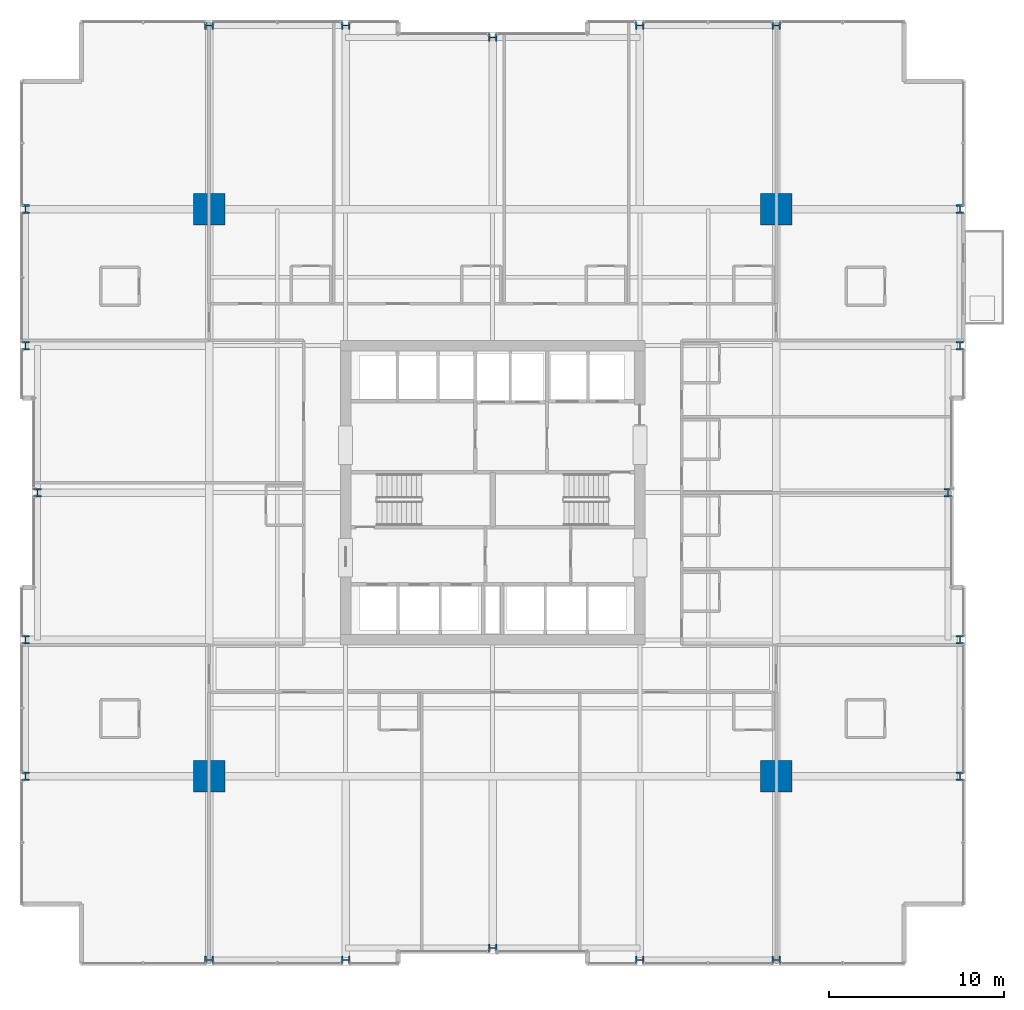
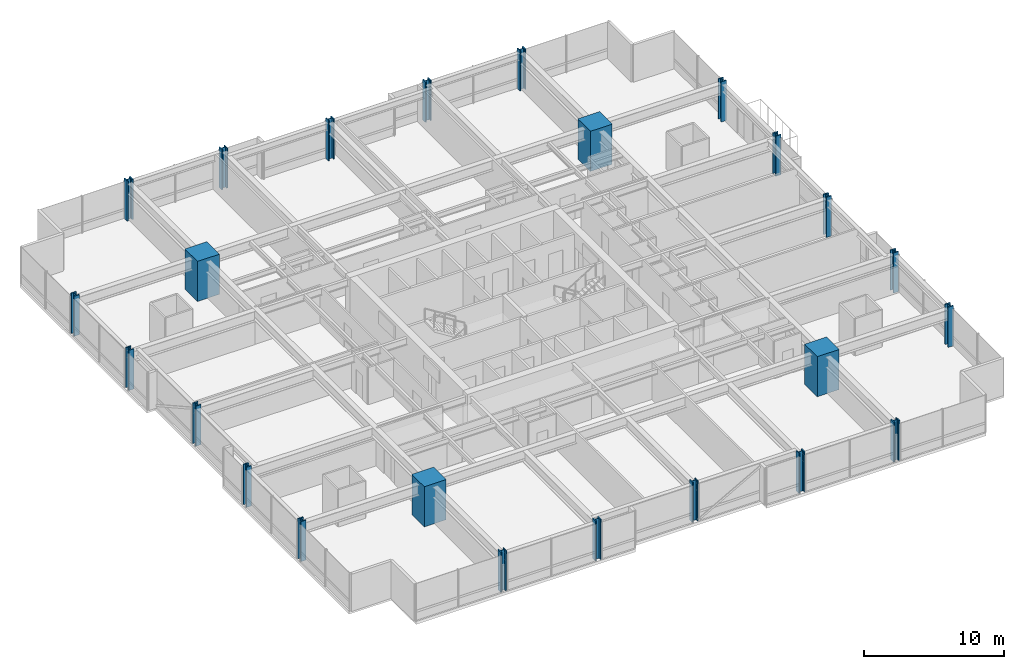
# One storey, part 1 of 38: 24 columns.
"""IFC4 building model written with IfcOpenShell, lengths in metres."""

from ifc_helpers import new_model, si_unit, direction, frame, origin, origin_2d, place, context, subcontext, project, spatial, rectangle, i_section, extrude, material, material_profile, profile_set, type_object, element, save


model = new_model("IFC4")

# Units and contexts
model_context = context("Model", 3, precision=1e-05, world=origin(), true_north=direction((0.0, 1.0)))
body_context = subcontext(model_context, "Body", "Model", "MODEL_VIEW")
ifc_project = project(units=[si_unit("LENGTHUNIT", "METRE"), si_unit("AREAUNIT", "SQUARE_METRE"), si_unit("VOLUMEUNIT", "CUBIC_METRE"), si_unit("PLANEANGLEUNIT", "RADIAN"), si_unit("MASSUNIT", "GRAM", prefix="KILO")], contexts=[model_context])

# Site, building, storey
site_placement = place(None, origin())
site = spatial("IfcSite", under=ifc_project, at=site_placement, CompositionType="ELEMENT")
building_placement = place(site_placement, origin())
building = spatial("IfcBuilding", under=site, at=building_placement, Name="Drelvath Grand Hotel", CompositionType="ELEMENT")
storey_placement = place(building_placement, frame((0.0, 0.0, 50.699951171875)))
storey = spatial("IfcBuildingStorey", under=building, at=storey_placement, Name="L11", CompositionType="ELEMENT", Elevation=50.699951171875)

# Columns
ifc_material_1 = material(Name="Concrete f'c 70 MPa", Category="concrete")
ifc_material_profile_1 = material_profile(ifc_material_1, rectangle(XDim=1.800048828125, YDim=1.800048828125, at=origin_2d()), Name="MC1800X1800")
ifc_profile_set_1 = profile_set([ifc_material_profile_1], Name="Concrete f'c 70 MPa")
column_type_1 = type_object("IfcColumnType", Name="Composite Mega Column MC1800X1800", PredefinedType="COLUMN", material=ifc_profile_set_1)
for number, where, z_axis, x_axis, name in (
    (1, (-16.199951171875, 10.800048828125, 0.0), (0.0, 0.0, 1.0), (1.0, 0.0, 0.0), "L11 Composite Mega Column MC-SW"),
    (2, (16.199951171875, 10.800048828125, 0.0), (0.0, 0.0, 1.0), (1.0, 0.0, 0.0), "L11 Composite Mega Column MC-SE"),
    (3, (-16.199951171875, 43.199951171875, 0.0), (0.0, 0.0, 1.0), (1.0, 0.0, 0.0), "L11 Composite Mega Column MC-NW"),
    (4, (16.199951171875, 43.199951171875, 0.0), (0.0, 0.0, 1.0), (1.0, 0.0, 0.0), "L11 Composite Mega Column MC-NE"),
):
    element("IfcColumn", number, at=place(storey_placement, frame(where, z_axis=z_axis, x_axis=x_axis)), inside=storey, type_object=column_type_1, Name=name, PredefinedType="COLUMN", context=body_context, shape_type="SweptSolid", body=[
        extrude(rectangle(XDim=1.800048828125, YDim=1.800048828125, at=origin_2d()), origin(), (0.0, 0.0, 1.0), 3.5),
    ])
ifc_material_2 = material(Name="Steel ASTM A913 Gr 65", Category="steel")
ifc_material_profile_2 = material_profile(ifc_material_2, i_section(OverallWidth=0.43212890625, OverallDepth=0.497802734375, WebThickness=0.0556640625, FlangeThickness=0.0888671875, FilletRadius=0.030029296875, at=origin_2d()), Name="W14X500")
ifc_profile_set_2 = profile_set([ifc_material_profile_2], Name="Steel ASTM A913 Gr 65")
column_type_2 = type_object("IfcColumnType", Name="Perimeter Steel Column W14X500", PredefinedType="COLUMN", material=ifc_profile_set_2)
for number, where, z_axis, x_axis, name in (
    (5, (-26.679931640625, 10.800048828125, 0.0), (0.0, 0.0, 1.0), (1.0, 0.0, 0.0), "L11 Structural Column TCW-C"),
    (6, (26.679931640625, 10.800048828125, 0.0), (0.0, 0.0, 1.0), (1.0, 0.0, 0.0), "L11 Structural Column TCE-C"),
    (7, (-26.679931640625, 18.60009765625, 0.0), (0.0, 0.0, 1.0), (1.0, 0.0, 0.0), "L11 Structural Column TCW-D"),
    (8, (26.679931640625, 18.60009765625, 0.0), (0.0, 0.0, 1.0), (1.0, 0.0, 0.0), "L11 Structural Column TCE-D"),
    (9, (-26.0, 27.0, 0.0), (0.0, 0.0, 1.0), (1.0, 0.0, 0.0), "L11 Structural Column TCW-E"),
    (10, (26.0, 27.0, 0.0), (0.0, 0.0, 1.0), (1.0, 0.0, 0.0), "L11 Structural Column TCE-E"),
    (11, (-26.679931640625, 35.39990234375, 0.0), (0.0, 0.0, 1.0), (1.0, 0.0, 0.0), "L11 Structural Column TCW-F"),
    (12, (26.679931640625, 35.39990234375, 0.0), (0.0, 0.0, 1.0), (1.0, 0.0, 0.0), "L11 Structural Column TCE-F"),
    (13, (-26.679931640625, 43.199951171875, 0.0), (0.0, 0.0, 1.0), (1.0, 0.0, 0.0), "L11 Structural Column TCW-G"),
    (14, (26.679931640625, 43.199951171875, 0.0), (0.0, 0.0, 1.0), (1.0, 0.0, 0.0), "L11 Structural Column TCE-G"),
    (15, (-16.199951171875, 0.320068359375, 0.0), (0.0, 0.0, 1.0), (0.0, 1.0, 0.0), "L11 Structural Column TCS-3"),
    (16, (-16.199951171875, 53.679931640625, 0.0), (0.0, 0.0, 1.0), (0.0, 1.0, 0.0), "L11 Structural Column TCN-3"),
    (17, (-8.39990234375, 0.320068359375, 0.0), (0.0, 0.0, 1.0), (0.0, 1.0, 0.0), "L11 Structural Column TCS-4"),
    (18, (-8.39990234375, 53.679931640625, 0.0), (0.0, 0.0, 1.0), (0.0, 1.0, 0.0), "L11 Structural Column TCN-4"),
    (19, (0.0, 1.0, 0.0), (0.0, 0.0, 1.0), (0.0, 1.0, 0.0), "L11 Structural Column TCS-5"),
    (20, (0.0, 53.0, 0.0), (0.0, 0.0, 1.0), (0.0, 1.0, 0.0), "L11 Structural Column TCN-5"),
    (21, (8.39990234375, 0.320068359375, 0.0), (0.0, 0.0, 1.0), (0.0, 1.0, 0.0), "L11 Structural Column TCS-6"),
    (22, (8.39990234375, 53.679931640625, 0.0), (0.0, 0.0, 1.0), (0.0, 1.0, 0.0), "L11 Structural Column TCN-6"),
    (23, (16.199951171875, 0.320068359375, 0.0), (0.0, 0.0, 1.0), (0.0, 1.0, 0.0), "L11 Structural Column TCS-7"),
    (24, (16.199951171875, 53.679931640625, 0.0), (0.0, 0.0, 1.0), (0.0, 1.0, 0.0), "L11 Structural Column TCN-7"),
):
    element("IfcColumn", number, at=place(storey_placement, frame(where, z_axis=z_axis, x_axis=x_axis)), inside=storey, type_object=column_type_2, Name=name, PredefinedType="COLUMN", context=body_context, shape_type="SweptSolid", body=[
        extrude(i_section(OverallWidth=0.43212890625, OverallDepth=0.497802734375, WebThickness=0.0556640625, FlangeThickness=0.0888671875, FilletRadius=0.030029296875, at=origin_2d()), origin(), (0.0, 0.0, 1.0), 3.4970703125),
    ])

save(model, "model.ifc")
